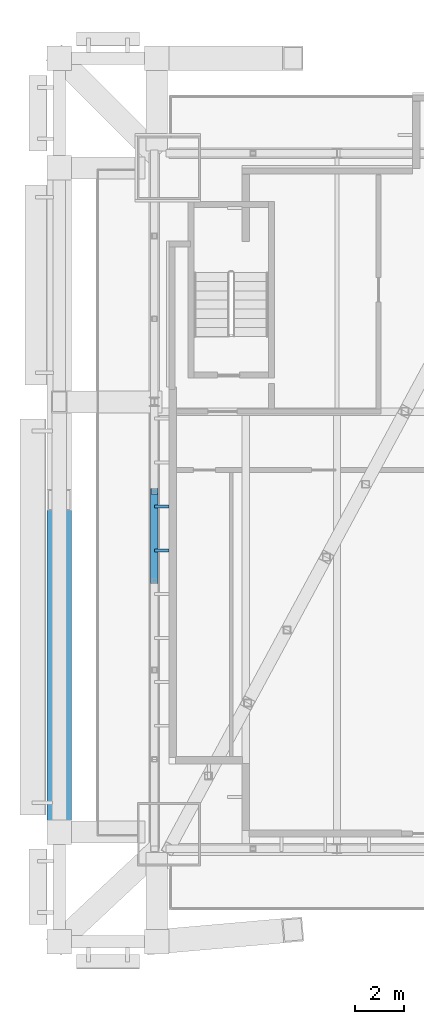
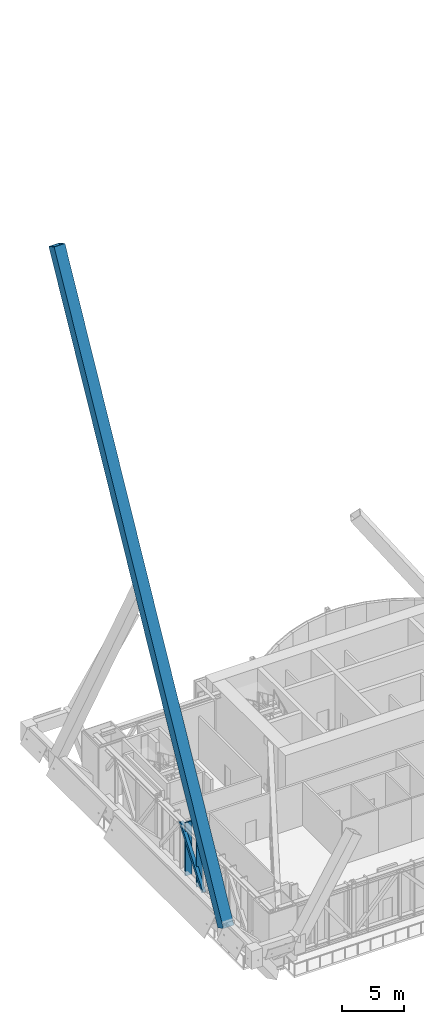
# One storey, part 6 of 30: 4 members, 1 element without a shape of its own.
"""IFC4 building model written with IfcOpenShell, lengths in metres."""

from ifc_helpers import new_model, si_unit, direction, frame, origin, origin_2d, place, context, subcontext, project, spatial, rectangle, hollow_rectangle, extrude, material, material_profile, profile_set, type_object, element, aggregate, save


model = new_model("IFC4")

# Units and contexts
model_context = context("Model", 3, precision=1e-05, world=origin(), true_north=direction((0.0, 1.0)))
body_context = subcontext(model_context, "Body", "Model", "MODEL_VIEW")
ifc_project = project(units=[si_unit("LENGTHUNIT", "METRE"), si_unit("AREAUNIT", "SQUARE_METRE"), si_unit("VOLUMEUNIT", "CUBIC_METRE"), si_unit("PLANEANGLEUNIT", "RADIAN"), si_unit("MASSUNIT", "GRAM", prefix="KILO")], contexts=[model_context])

# Site, building, storey
site_placement = place(None, origin())
site = spatial("IfcSite", under=ifc_project, at=site_placement, CompositionType="ELEMENT")
building_placement = place(site_placement, origin())
building = spatial("IfcBuilding", under=site, at=building_placement, Name="Bicima Exchange Tower", CompositionType="ELEMENT")
storey_placement = place(building_placement, frame((0.0, 0.0, 185.5)))
storey = spatial("IfcBuildingStorey", under=building, at=storey_placement, Name="L41", CompositionType="ELEMENT", Elevation=185.5)

# Curtain wall, members
ifc_material_1 = material(Name="Anodised bronze aluminium", Category="aluminium")
curtain_wall_type = type_object("IfcCurtainWallType", Name="Band blade screen", PredefinedType="NOTDEFINED", material=ifc_material_1)
curtain_wall_placement = place(storey_placement, origin())
curtain_wall = element("IfcCurtainWall", 1, at=curtain_wall_placement, inside=storey, type_object=curtain_wall_type, Name="Band blade screen L41", PredefinedType="NOTDEFINED")
ifc_material_profile_1 = material_profile(ifc_material_1, rectangle(XDim=0.60009765625, YDim=0.1201171875, at=origin_2d()))
ifc_profile_set_1 = profile_set([ifc_material_profile_1], Name="Anodised bronze aluminium")
member_type_1 = type_object("IfcMemberType", Name="Band blade fin 600 x 120", PredefinedType="USERDEFINED", material=ifc_profile_set_1)
member_1_placement = place(storey_placement, frame((-33.300048828125, -16.89208984375, 0.0), z_axis=(0.0, 0.0, 1.0), x_axis=(1.0, 0.0, 0.0)))
member_1 = element("IfcMember", 2, at=member_1_placement, type_object=member_type_1, Name="Band blade fin 15", ObjectType="FIN", PredefinedType="USERDEFINED", context=body_context, shape_type="SweptSolid", body=[
    extrude(rectangle(XDim=0.60009765625, YDim=0.1201171875, at=origin_2d()), origin(), (0.0, 0.0, 1.0), 5.25),
])
member_2_placement = place(storey_placement, frame((-33.300048828125, -18.692138671875, 0.0), z_axis=(0.0, 0.0, 1.0), x_axis=(1.0, 0.0, 0.0)))
member_2 = element("IfcMember", 3, at=member_2_placement, type_object=member_type_1, Name="Band blade fin 16", ObjectType="FIN", PredefinedType="USERDEFINED", context=body_context, shape_type="SweptSolid", body=[
    extrude(rectangle(XDim=0.60009765625, YDim=0.1201171875, at=origin_2d()), origin(), (0.0, 0.0, 1.0), 5.25),
])
aggregate(curtain_wall, [member_1, member_2])

# Members
ifc_material_2 = material(Name="Steel ASTM A572 Gr 50", Category="steel")
ifc_material_profile_2 = material_profile(ifc_material_2, hollow_rectangle(XDim=0.3046875, YDim=0.3046875, WallThickness=0.01171875, at=origin_2d()))
ifc_profile_set_2 = profile_set([ifc_material_profile_2], Name="Steel ASTM A572 Gr 50")
member_type_2 = type_object("IfcMemberType", Name="Belt truss diagonal HSS12x12x1/2", PredefinedType="STRUT", material=ifc_profile_set_2)
member_3_placement = place(storey_placement, frame((-33.60009765625, -16.267578125, 5.022705078125), z_axis=(0.0, -0.60751765115, -0.794306177454), x_axis=(1.0, 0.0, 0.0)))
element("IfcMember", 4, at=member_3_placement, inside=storey, type_object=member_type_2, Name="Truss diagonal", PredefinedType="STRUT", context=body_context, shape_type="SweptSolid", body=[
    extrude(hollow_rectangle(XDim=0.3046875, YDim=0.3046875, WallThickness=0.01171875, at=origin_2d()), origin(), (0.0, 0.0, 1.0), 6.037109375),
])
ifc_material_profile_3 = material_profile(ifc_material_2, hollow_rectangle(XDim=1.0, YDim=1.0, WallThickness=0.06005859375, at=origin_2d()))
ifc_profile_set_3 = profile_set([ifc_material_profile_3], Name="Steel ASTM A572 Gr 50")
member_type_3 = type_object("IfcMemberType", Name="Exo mega brace BOX 1000x1000x60", PredefinedType="BRACE", material=ifc_profile_set_3)
member_4_placement = place(storey_placement, frame((-37.5, -30.256591796875, 4.5), z_axis=(0.0, 0.474968006033, 0.880003064338), x_axis=(-1.0, 0.0, 0.0)))
element("IfcMember", 5, at=member_4_placement, inside=storey, type_object=member_type_3, Name="Exo mega brace end", PredefinedType="BRACE", context=body_context, shape_type="SweptSolid", body=[
    extrude(hollow_rectangle(XDim=1.0, YDim=1.0, WallThickness=0.06005859375, at=origin_2d()), origin(), (0.0, 0.0, 1.0), 57.38623046875),
])

save(model, "model.ifc")
